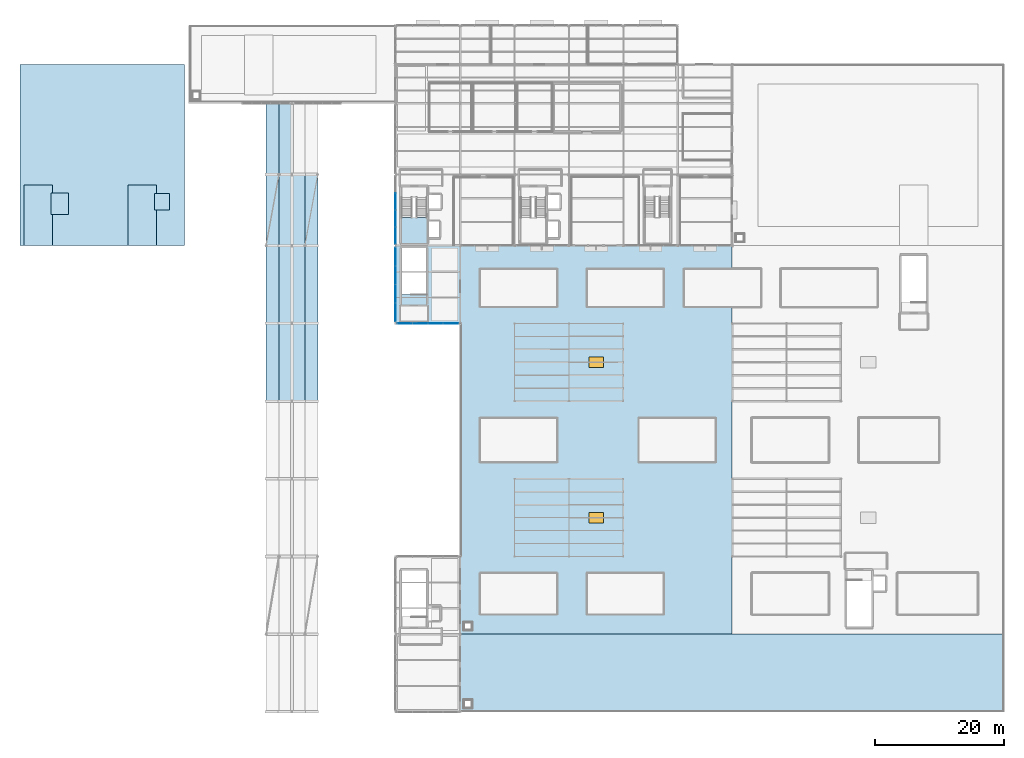
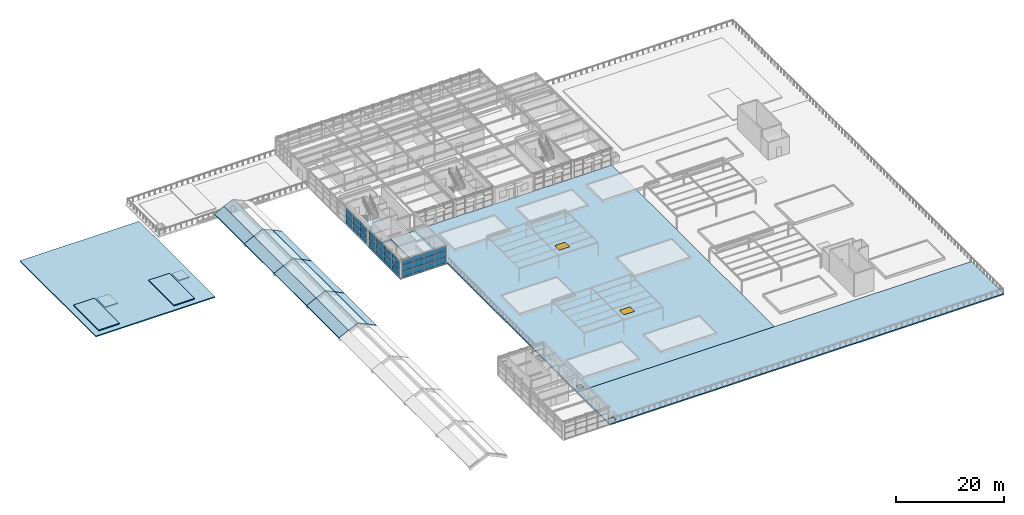
# One storey, part 32 of 49: 33 plates, 23 slabs, 2 windows, 2 openings, 4 elements without a shape of their own.
"""IFC4 building model written with IfcOpenShell, lengths in metres."""

import ifcopenshell
import ifcopenshell.guid

model = None  # the IFC model being written
_history = None  # IfcOwnerHistory: only IFC2X3 demands one
_inside = {}  # id of a spatial element -> (the spatial element, [elements in it])
_under = {}  # id of a project, library or spatial element -> (it, [spatial elements below it])
_declared = {}  # id of a project -> (the project, [libraries it declares])
_typed = {}  # id of a type object -> (the type object, [elements of that type])
_made_of = {}  # id of a material, layer set ... -> (it, [elements and type objects made of it])


def new_model(schema):
    """Start an empty IFC model of exactly this schema.

    Asked for "IFC4X3", IfcOpenShell would pick the latest addendum, in which some entities
    have other attributes; the version numbers below select the first issue.
    IFC2X3 requires an IfcOwnerHistory on every rooted entity: one is made here for all.
    """
    global model, _history
    if schema == "IFC4X3":
        model = ifcopenshell.file(schema_version=(4, 3, 0, 0))
    else:
        model = ifcopenshell.file(schema=schema)
    _inside.clear()
    _under.clear()
    _declared.clear()
    _typed.clear()
    _made_of.clear()
    _history = None
    if model.schema == "IFC2X3":
        org = make("IfcOrganization", Name="unknown")
        user = make(
            "IfcPersonAndOrganization",
            ThePerson=make("IfcPerson", FamilyName="unknown"),
            TheOrganization=org,
        )
        app = make(
            "IfcApplication",
            ApplicationDeveloper=org,
            Version="unknown",
            ApplicationFullName="unknown",
            ApplicationIdentifier="unknown",
        )
        _history = make(
            "IfcOwnerHistory",
            OwningUser=user,
            OwningApplication=app,
            ChangeAction="ADDED",
            CreationDate=0,
        )
    return model


def make(cls, **values):
    """One entity of the class cls with the attributes given. An attribute that is None is left unset."""
    return model.create_entity(
        cls, **{name: value for name, value in values.items() if value is not None}
    )


def rooted(cls, **values):
    """An entity with a GlobalId (a new one), such as an element, a storey or a relation."""
    return make(cls, GlobalId=ifcopenshell.guid.new(), OwnerHistory=_history, **values)


def si_unit(unit_type, name, prefix=None):
    """IfcSIUnit, for example si_unit("LENGTHUNIT", "METRE", prefix="MILLI")."""
    return make("IfcSIUnit", UnitType=unit_type, Prefix=prefix, Name=name)


def assignment(units):
    """IfcUnitAssignment: the units of a project."""
    return None if units is None else make("IfcUnitAssignment", Units=units)


def point(xyz):
    """IfcCartesianPoint."""
    return None if xyz is None else make("IfcCartesianPoint", Coordinates=xyz)


def direction(xyz):
    """IfcDirection."""
    return None if xyz is None else make("IfcDirection", DirectionRatios=xyz)


def frame(location, z_axis=None, x_axis=None):
    """IfcAxis2Placement3D, a coordinate frame: its origin and axes. An axis left out is left unset."""
    return make(
        "IfcAxis2Placement3D",
        Location=point(location),
        Axis=direction(z_axis),
        RefDirection=direction(x_axis),
    )


def frame_2d(location, x_axis=None):
    """IfcAxis2Placement2D, a coordinate frame in the plane: its origin and x axis."""
    return make(
        "IfcAxis2Placement2D", Location=point(location), RefDirection=direction(x_axis)
    )


def origin():
    """The frame at (0, 0, 0) with its axes left unset."""
    return frame((0.0, 0.0, 0.0))


def origin_2d():
    """The frame at (0, 0) in the plane with its x axis left unset."""
    return frame_2d((0.0, 0.0))


def place(relative_to, where):
    """IfcLocalPlacement: puts the frame where relative to a parent placement (None: the world)."""
    return make(
        "IfcLocalPlacement", PlacementRelTo=relative_to, RelativePlacement=where
    )


def context(
    kind, dimensions, precision=None, world=None, true_north=None, identifier=None
):
    """IfcGeometricRepresentationContext, for example the 3D "Model" context."""
    return make(
        "IfcGeometricRepresentationContext",
        ContextIdentifier=identifier,
        ContextType=kind,
        CoordinateSpaceDimension=dimensions,
        Precision=precision,
        WorldCoordinateSystem=world,
        TrueNorth=true_north,
    )


def subcontext(parent, identifier, kind, view, scale=None):
    """IfcGeometricRepresentationSubContext, for example "Body" below "Model"."""
    return make(
        "IfcGeometricRepresentationSubContext",
        ContextIdentifier=identifier,
        ContextType=kind,
        ParentContext=parent,
        TargetScale=scale,
        TargetView=view,
    )


def project(units=None, contexts=None):
    """IfcProject with its units and contexts."""
    return rooted(
        "IfcProject",
        Name="project",
        RepresentationContexts=contexts,
        UnitsInContext=assignment(units),
    )


def spatial(cls, under=None, at=None, **own):
    """A site, building, storey or space (cls), placed at a placement, below another one or the project."""
    s = rooted(cls, ObjectPlacement=at, **own)
    if under is not None:
        _under.setdefault(under.id(), (under, []))[1].append(s)
    return s


def polyline(points):
    """IfcPolyline through the points."""
    return make("IfcPolyline", Points=[point(p) for p in points])


def profile(cls, at=None, kind="AREA", **sizes):
    """A parametric profile (cls). Its sizes go by their IFC names, for example OverallWidth=200.0."""
    return make(cls, ProfileType=kind, Position=at, **sizes)


def rectangle(**sizes):
    """IfcRectangleProfileDef."""
    return profile("IfcRectangleProfileDef", **sizes)


def outline(outer, holes=None, kind="AREA"):
    """IfcArbitraryClosedProfileDef: a profile drawn as a closed curve; with holes, ...WithVoids."""
    if holes is None:
        return make("IfcArbitraryClosedProfileDef", ProfileType=kind, OuterCurve=outer)
    return make(
        "IfcArbitraryProfileDefWithVoids",
        ProfileType=kind,
        OuterCurve=outer,
        InnerCurves=holes,
    )


def extrude(swept, where, along, depth):
    """IfcExtrudedAreaSolid: the profile swept, set in the frame where, extruded along a direction by depth."""
    return make(
        "IfcExtrudedAreaSolid",
        SweptArea=swept,
        Position=where,
        ExtrudedDirection=direction(along),
        Depth=depth,
    )


def shape(context_of_items, identifier, shape_type, items):
    """IfcShapeRepresentation: the items that make up one representation, for example the "Body"."""
    return make(
        "IfcShapeRepresentation",
        ContextOfItems=context_of_items,
        RepresentationIdentifier=identifier,
        RepresentationType=shape_type,
        Items=items,
    )


def material(Name=None, Category=None):
    """IfcMaterial."""
    return make("IfcMaterial", Name=Name, Category=Category)


def layer(
    of_material, thickness, ventilated=None, Name=None, Category=None, Priority=None
):
    """IfcMaterialLayer: one layer of a wall or slab, of a material (None: an air gap)."""
    return make(
        "IfcMaterialLayer",
        Material=of_material,
        LayerThickness=thickness,
        IsVentilated=ventilated,
        Name=Name,
        Category=Category,
        Priority=Priority,
    )


def layer_set(layers, Name=None):
    """IfcMaterialLayerSet."""
    return make("IfcMaterialLayerSet", MaterialLayers=layers, LayerSetName=Name)


def made_of(thing, what):
    """Note that an element or type object is made of a material, layer set ...; save() writes the relation."""
    if what is not None:
        _made_of.setdefault(what.id(), (what, []))[1].append(thing)
    return thing


def type_object(cls, material=None, **own):
    """A type object (cls), such as IfcWallType, which elements share."""
    return made_of(rooted(cls, **own), material)


def element(
    cls,
    number,
    at=None,
    inside=None,
    cuts=None,
    type_object=None,
    material=None,
    context=None,
    identifier="Body",
    shape_type=None,
    held_by="IfcProductDefinitionShape",
    body=None,
    shapes=None,
    **own,
):
    """One element of the class cls, such as IfcWall. Its Tag is "e" and its number.

    at: its placement. inside: the storey or other place that contains it. cuts: it is an
    opening in that element (IfcRelVoidsElement). A single representation is given by context,
    identifier, shape_type and body (its items); several are given by shapes. held_by: the class
    of the entity that holds the representations. save() writes the other relations.
    """
    e = rooted(cls, Tag="e%d" % number, ObjectPlacement=at, **own)
    if body is not None:
        shapes = [shape(context, identifier, shape_type, body)]
    if shapes is not None:
        e.Representation = make(held_by, Representations=shapes)
    if inside is not None:
        _inside.setdefault(inside.id(), (inside, []))[1].append(e)
    if cuts is not None:
        rooted(
            "IfcRelVoidsElement", RelatingBuildingElement=cuts, RelatedOpeningElement=e
        )
    if type_object is not None:
        _typed.setdefault(type_object.id(), (type_object, []))[1].append(e)
    return made_of(e, material)


def fill(opening, filler):
    """IfcRelFillsElement: the door or window that sits in an opening."""
    return rooted(
        "IfcRelFillsElement",
        RelatingOpeningElement=opening,
        RelatedBuildingElement=filler,
    )


def aggregate(whole, parts):
    """IfcRelAggregates: a whole, such as a stair, and the parts it consists of."""
    return rooted("IfcRelAggregates", RelatingObject=whole, RelatedObjects=parts)


def save(model, path):
    """Write the relations noted so far, then the file.

    IfcRelAggregates (storeys below a building ...), IfcRelContainedInSpatialStructure (elements
    in a storey), IfcRelDefinesByType, IfcRelAssociatesMaterial and IfcRelDeclares: one each for
    every whole, place, type object, material and project.
    """
    for whole, parts in _under.values():
        aggregate(whole, parts)
    for where, things in _inside.values():
        rooted(
            "IfcRelContainedInSpatialStructure",
            RelatedElements=things,
            RelatingStructure=where,
        )
    for kind, things in _typed.values():
        rooted("IfcRelDefinesByType", RelatedObjects=things, RelatingType=kind)
    for what, things in _made_of.values():
        rooted("IfcRelAssociatesMaterial", RelatedObjects=things, RelatingMaterial=what)
    for by, libraries in _declared.values():
        rooted("IfcRelDeclares", RelatingContext=by, RelatedDefinitions=libraries)
    model.write(path)


model = new_model("IFC4")

# Units and contexts
model_context = context("Model", 3, precision=1e-05, world=origin(), true_north=direction((0.0, 1.0)))
body_context = subcontext(model_context, "Body", "Model", "MODEL_VIEW")
ifc_project = project(units=[si_unit("LENGTHUNIT", "METRE"), si_unit("AREAUNIT", "SQUARE_METRE"), si_unit("VOLUMEUNIT", "CUBIC_METRE"), si_unit("PLANEANGLEUNIT", "RADIAN"), si_unit("MASSUNIT", "GRAM", prefix="KILO")], contexts=[model_context])

# Site, building, storey
site_placement = place(None, origin())
site = spatial("IfcSite", under=ifc_project, at=site_placement, CompositionType="ELEMENT")
building_placement = place(site_placement, origin())
building = spatial("IfcBuilding", under=site, at=building_placement, Name="Sitalva Quay Ferry Terminal", CompositionType="ELEMENT")
storey_placement = place(building_placement, frame((0.0, 0.0, 10.199951171875)))
storey = spatial("IfcBuildingStorey", under=building, at=storey_placement, Name="L03", CompositionType="ELEMENT", Elevation=10.199951171875)

# Curtain wall, plates
ifc_material_1 = material(Name="Anodised Aluminium & Low-E Glazing", Category="aluminium")
ifc_layer_1 = layer(ifc_material_1, 0.159912109375)
ifc_layer_set_1 = layer_set([ifc_layer_1], Name="Anodised Aluminium & Low-E Glazing")
curtain_wall_type = type_object("IfcCurtainWallType", Name="CW_Office_Unitised", PredefinedType="USERDEFINED", material=ifc_layer_set_1)
curtain_wall_1_placement = place(storey_placement, origin())
curtain_wall_1 = element("IfcCurtainWall", 1, at=curtain_wall_1_placement, inside=storey, type_object=curtain_wall_type, Name="L03 north spine south glazing (CW-L03-090)", ObjectType="CURTAIN_WALL", PredefinedType="USERDEFINED")
ifc_material_2 = material(Name="Solar-Control Low-E Glazing", Category="glass")
ifc_layer_2 = layer(ifc_material_2, 0.031982421875)
ifc_layer_set_2 = layer_set([ifc_layer_2], Name="Solar-Control Low-E Glazing")
plate_type = type_object("IfcPlateType", Name="Panel_Solar_IGU_32", PredefinedType="CURTAIN_PANEL", material=ifc_layer_set_2)
plate_1_placement = place(storey_placement, frame((75.47509765625, 66.0, 0.150146484375), z_axis=(0.0, 0.0, 1.0), x_axis=(1.0, 0.0, 0.0)))
plate_1 = element("IfcPlate", 2, at=plate_1_placement, type_object=plate_type, Name="CW-L03-090-P0-0", PredefinedType="CURTAIN_PANEL", context=body_context, shape_type="SweptSolid", body=[
    extrude(rectangle(XDim=2.27490234375, YDim=0.031982421875, at=origin_2d()), origin(), (0.0, 0.0, 1.0), 1.169921875),
])
plate_2_placement = place(storey_placement, frame((75.47509765625, 66.0, 1.469970703125), z_axis=(0.0, 0.0, 1.0), x_axis=(1.0, 0.0, 0.0)))
plate_2 = element("IfcPlate", 3, at=plate_2_placement, type_object=plate_type, Name="CW-L03-090-P0-1", PredefinedType="CURTAIN_PANEL", context=body_context, shape_type="SweptSolid", body=[
    extrude(rectangle(XDim=2.27490234375, YDim=0.031982421875, at=origin_2d()), origin(), (0.0, 0.0, 1.0), 1.169921875),
])
plate_3_placement = place(storey_placement, frame((75.47509765625, 66.0, 2.7900390625), z_axis=(0.0, 0.0, 1.0), x_axis=(1.0, 0.0, 0.0)))
plate_3 = element("IfcPlate", 4, at=plate_3_placement, type_object=plate_type, Name="CW-L03-090-P0-2", PredefinedType="CURTAIN_PANEL", context=body_context, shape_type="SweptSolid", body=[
    extrude(rectangle(XDim=2.27490234375, YDim=0.031982421875, at=origin_2d()), origin(), (0.0, 0.0, 1.0), 1.02001953125),
])
plate_4_placement = place(storey_placement, frame((77.824951171875, 66.0, 0.150146484375), z_axis=(0.0, 0.0, 1.0), x_axis=(1.0, 0.0, 0.0)))
plate_4 = element("IfcPlate", 5, at=plate_4_placement, type_object=plate_type, Name="CW-L03-090-P1-0", PredefinedType="CURTAIN_PANEL", context=body_context, shape_type="SweptSolid", body=[
    extrude(rectangle(XDim=2.27490234375, YDim=0.031982421875, at=origin_2d()), origin(), (0.0, 0.0, 1.0), 1.169921875),
])
plate_5_placement = place(storey_placement, frame((77.824951171875, 66.0, 1.469970703125), z_axis=(0.0, 0.0, 1.0), x_axis=(1.0, 0.0, 0.0)))
plate_5 = element("IfcPlate", 6, at=plate_5_placement, type_object=plate_type, Name="CW-L03-090-P1-1", PredefinedType="CURTAIN_PANEL", context=body_context, shape_type="SweptSolid", body=[
    extrude(rectangle(XDim=2.27490234375, YDim=0.031982421875, at=origin_2d()), origin(), (0.0, 0.0, 1.0), 1.169921875),
])
plate_6_placement = place(storey_placement, frame((77.824951171875, 66.0, 2.7900390625), z_axis=(0.0, 0.0, 1.0), x_axis=(1.0, 0.0, 0.0)))
plate_6 = element("IfcPlate", 7, at=plate_6_placement, type_object=plate_type, Name="CW-L03-090-P1-2", PredefinedType="CURTAIN_PANEL", context=body_context, shape_type="SweptSolid", body=[
    extrude(rectangle(XDim=2.27490234375, YDim=0.031982421875, at=origin_2d()), origin(), (0.0, 0.0, 1.0), 1.02001953125),
])
plate_7_placement = place(storey_placement, frame((80.175048828125, 66.0, 0.150146484375), z_axis=(0.0, 0.0, 1.0), x_axis=(1.0, 0.0, 0.0)))
plate_7 = element("IfcPlate", 8, at=plate_7_placement, type_object=plate_type, Name="CW-L03-090-P2-0", PredefinedType="CURTAIN_PANEL", context=body_context, shape_type="SweptSolid", body=[
    extrude(rectangle(XDim=2.27490234375, YDim=0.031982421875, at=origin_2d()), origin(), (0.0, 0.0, 1.0), 1.169921875),
])
plate_8_placement = place(storey_placement, frame((80.175048828125, 66.0, 1.469970703125), z_axis=(0.0, 0.0, 1.0), x_axis=(1.0, 0.0, 0.0)))
plate_8 = element("IfcPlate", 9, at=plate_8_placement, type_object=plate_type, Name="CW-L03-090-P2-1", PredefinedType="CURTAIN_PANEL", context=body_context, shape_type="SweptSolid", body=[
    extrude(rectangle(XDim=2.27490234375, YDim=0.031982421875, at=origin_2d()), origin(), (0.0, 0.0, 1.0), 1.169921875),
])
plate_9_placement = place(storey_placement, frame((80.175048828125, 66.0, 2.7900390625), z_axis=(0.0, 0.0, 1.0), x_axis=(1.0, 0.0, 0.0)))
plate_9 = element("IfcPlate", 10, at=plate_9_placement, type_object=plate_type, Name="CW-L03-090-P2-2", PredefinedType="CURTAIN_PANEL", context=body_context, shape_type="SweptSolid", body=[
    extrude(rectangle(XDim=2.27490234375, YDim=0.031982421875, at=origin_2d()), origin(), (0.0, 0.0, 1.0), 1.02001953125),
])
plate_10_placement = place(storey_placement, frame((82.52490234375, 66.0, 0.150146484375), z_axis=(0.0, 0.0, 1.0), x_axis=(1.0, 0.0, 0.0)))
plate_10 = element("IfcPlate", 11, at=plate_10_placement, type_object=plate_type, Name="CW-L03-090-P3-0", PredefinedType="CURTAIN_PANEL", context=body_context, shape_type="SweptSolid", body=[
    extrude(rectangle(XDim=2.27490234375, YDim=0.031982421875, at=origin_2d()), origin(), (0.0, 0.0, 1.0), 1.169921875),
])
plate_11_placement = place(storey_placement, frame((82.52490234375, 66.0, 1.469970703125), z_axis=(0.0, 0.0, 1.0), x_axis=(1.0, 0.0, 0.0)))
plate_11 = element("IfcPlate", 12, at=plate_11_placement, type_object=plate_type, Name="CW-L03-090-P3-1", PredefinedType="CURTAIN_PANEL", context=body_context, shape_type="SweptSolid", body=[
    extrude(rectangle(XDim=2.27490234375, YDim=0.031982421875, at=origin_2d()), origin(), (0.0, 0.0, 1.0), 1.169921875),
])
plate_12_placement = place(storey_placement, frame((82.52490234375, 66.0, 2.7900390625), z_axis=(0.0, 0.0, 1.0), x_axis=(1.0, 0.0, 0.0)))
plate_12 = element("IfcPlate", 13, at=plate_12_placement, type_object=plate_type, Name="CW-L03-090-P3-2", PredefinedType="CURTAIN_PANEL", context=body_context, shape_type="SweptSolid", body=[
    extrude(rectangle(XDim=2.27490234375, YDim=0.031982421875, at=origin_2d()), origin(), (0.0, 0.0, 1.0), 1.02001953125),
])
aggregate(curtain_wall_1, [plate_1, plate_2, plate_3, plate_4, plate_5, plate_6, plate_7, plate_8, plate_9, plate_10, plate_11, plate_12])

curtain_wall_2_placement = place(storey_placement, origin())
curtain_wall_2 = element("IfcCurtainWall", 14, at=curtain_wall_2_placement, inside=storey, type_object=curtain_wall_type, Name="L03 north spine west glazing (CW-L03-091)", ObjectType="CURTAIN_WALL", PredefinedType="USERDEFINED")
plate_13_placement = place(storey_placement, frame((74.0, 67.72509765625, 0.150146484375), z_axis=(0.0, 0.0, 1.0), x_axis=(0.0, 1.0, 0.0)))
plate_13 = element("IfcPlate", 15, at=plate_13_placement, type_object=plate_type, Name="CW-L03-091-P0-0", PredefinedType="CURTAIN_PANEL", context=body_context, shape_type="SweptSolid", body=[
    extrude(rectangle(XDim=2.77490234375, YDim=0.031982421875, at=origin_2d()), origin(), (0.0, 0.0, 1.0), 1.169921875),
])
plate_14_placement = place(storey_placement, frame((74.0, 67.72509765625, 1.469970703125), z_axis=(0.0, 0.0, 1.0), x_axis=(0.0, 1.0, 0.0)))
plate_14 = element("IfcPlate", 16, at=plate_14_placement, type_object=plate_type, Name="CW-L03-091-P0-1", PredefinedType="CURTAIN_PANEL", context=body_context, shape_type="SweptSolid", body=[
    extrude(rectangle(XDim=2.77490234375, YDim=0.031982421875, at=origin_2d()), origin(), (0.0, 0.0, 1.0), 1.169921875),
])
plate_15_placement = place(storey_placement, frame((74.0, 67.72509765625, 2.7900390625), z_axis=(0.0, 0.0, 1.0), x_axis=(0.0, 1.0, 0.0)))
plate_15 = element("IfcPlate", 17, at=plate_15_placement, type_object=plate_type, Name="CW-L03-091-P0-2", PredefinedType="CURTAIN_PANEL", context=body_context, shape_type="SweptSolid", body=[
    extrude(rectangle(XDim=2.77490234375, YDim=0.031982421875, at=origin_2d()), origin(), (0.0, 0.0, 1.0), 1.02001953125),
])
plate_16_placement = place(storey_placement, frame((74.0, 70.574951171875, 0.150146484375), z_axis=(0.0, 0.0, 1.0), x_axis=(0.0, 1.0, 0.0)))
plate_16 = element("IfcPlate", 18, at=plate_16_placement, type_object=plate_type, Name="CW-L03-091-P1-0", PredefinedType="CURTAIN_PANEL", context=body_context, shape_type="SweptSolid", body=[
    extrude(rectangle(XDim=2.77490234375, YDim=0.031982421875, at=origin_2d()), origin(), (0.0, 0.0, 1.0), 1.169921875),
])
plate_17_placement = place(storey_placement, frame((74.0, 70.574951171875, 1.469970703125), z_axis=(0.0, 0.0, 1.0), x_axis=(0.0, 1.0, 0.0)))
plate_17 = element("IfcPlate", 19, at=plate_17_placement, type_object=plate_type, Name="CW-L03-091-P1-1", PredefinedType="CURTAIN_PANEL", context=body_context, shape_type="SweptSolid", body=[
    extrude(rectangle(XDim=2.77490234375, YDim=0.031982421875, at=origin_2d()), origin(), (0.0, 0.0, 1.0), 1.169921875),
])
plate_18_placement = place(storey_placement, frame((74.0, 70.574951171875, 2.7900390625), z_axis=(0.0, 0.0, 1.0), x_axis=(0.0, 1.0, 0.0)))
plate_18 = element("IfcPlate", 20, at=plate_18_placement, type_object=plate_type, Name="CW-L03-091-P1-2", PredefinedType="CURTAIN_PANEL", context=body_context, shape_type="SweptSolid", body=[
    extrude(rectangle(XDim=2.77490234375, YDim=0.031982421875, at=origin_2d()), origin(), (0.0, 0.0, 1.0), 1.02001953125),
])
plate_19_placement = place(storey_placement, frame((74.0, 73.425048828125, 0.150146484375), z_axis=(0.0, 0.0, 1.0), x_axis=(0.0, 1.0, 0.0)))
plate_19 = element("IfcPlate", 21, at=plate_19_placement, type_object=plate_type, Name="CW-L03-091-P2-0", PredefinedType="CURTAIN_PANEL", context=body_context, shape_type="SweptSolid", body=[
    extrude(rectangle(XDim=2.77490234375, YDim=0.031982421875, at=origin_2d()), origin(), (0.0, 0.0, 1.0), 1.169921875),
])
plate_20_placement = place(storey_placement, frame((74.0, 73.425048828125, 1.469970703125), z_axis=(0.0, 0.0, 1.0), x_axis=(0.0, 1.0, 0.0)))
plate_20 = element("IfcPlate", 22, at=plate_20_placement, type_object=plate_type, Name="CW-L03-091-P2-1", PredefinedType="CURTAIN_PANEL", context=body_context, shape_type="SweptSolid", body=[
    extrude(rectangle(XDim=2.77490234375, YDim=0.031982421875, at=origin_2d()), origin(), (0.0, 0.0, 1.0), 1.169921875),
])
plate_21_placement = place(storey_placement, frame((74.0, 73.425048828125, 2.7900390625), z_axis=(0.0, 0.0, 1.0), x_axis=(0.0, 1.0, 0.0)))
plate_21 = element("IfcPlate", 23, at=plate_21_placement, type_object=plate_type, Name="CW-L03-091-P2-2", PredefinedType="CURTAIN_PANEL", context=body_context, shape_type="SweptSolid", body=[
    extrude(rectangle(XDim=2.77490234375, YDim=0.031982421875, at=origin_2d()), origin(), (0.0, 0.0, 1.0), 1.02001953125),
])
plate_22_placement = place(storey_placement, frame((74.0, 76.27490234375, 0.150146484375), z_axis=(0.0, 0.0, 1.0), x_axis=(0.0, 1.0, 0.0)))
plate_22 = element("IfcPlate", 24, at=plate_22_placement, type_object=plate_type, Name="CW-L03-091-P3-0", PredefinedType="CURTAIN_PANEL", context=body_context, shape_type="SweptSolid", body=[
    extrude(rectangle(XDim=2.77490234375, YDim=0.031982421875, at=origin_2d()), origin(), (0.0, 0.0, 1.0), 1.169921875),
])
plate_23_placement = place(storey_placement, frame((74.0, 76.27490234375, 1.469970703125), z_axis=(0.0, 0.0, 1.0), x_axis=(0.0, 1.0, 0.0)))
plate_23 = element("IfcPlate", 25, at=plate_23_placement, type_object=plate_type, Name="CW-L03-091-P3-1", PredefinedType="CURTAIN_PANEL", context=body_context, shape_type="SweptSolid", body=[
    extrude(rectangle(XDim=2.77490234375, YDim=0.031982421875, at=origin_2d()), origin(), (0.0, 0.0, 1.0), 1.169921875),
])
plate_24_placement = place(storey_placement, frame((74.0, 76.27490234375, 2.7900390625), z_axis=(0.0, 0.0, 1.0), x_axis=(0.0, 1.0, 0.0)))
plate_24 = element("IfcPlate", 26, at=plate_24_placement, type_object=plate_type, Name="CW-L03-091-P3-2", PredefinedType="CURTAIN_PANEL", context=body_context, shape_type="SweptSolid", body=[
    extrude(rectangle(XDim=2.77490234375, YDim=0.031982421875, at=origin_2d()), origin(), (0.0, 0.0, 1.0), 1.02001953125),
])
aggregate(curtain_wall_2, [plate_13, plate_14, plate_15, plate_16, plate_17, plate_18, plate_19, plate_20, plate_21, plate_22, plate_23, plate_24])

curtain_wall_3_placement = place(storey_placement, origin())
curtain_wall_3 = element("IfcCurtainWall", 27, at=curtain_wall_3_placement, inside=storey, type_object=curtain_wall_type, Name="L03 maritime bridge west glazing (CW-L03-124)", ObjectType="CURTAIN_WALL", PredefinedType="USERDEFINED")
plate_25_placement = place(storey_placement, frame((74.0, 79.570068359375, 0.14990234375), z_axis=(0.0, 0.0, 1.0), x_axis=(0.0, 1.0, 0.0)))
plate_25 = element("IfcPlate", 28, at=plate_25_placement, type_object=plate_type, Name="CW-L03-124-P0-0", PredefinedType="CURTAIN_PANEL", context=body_context, shape_type="SweptSolid", body=[
    extrude(rectangle(XDim=2.544921875, YDim=0.031982421875, at=origin_2d()), origin(), (0.0, 0.0, 1.0), 1.15673828125),
])
plate_26_placement = place(storey_placement, frame((74.0, 79.570068359375, 1.456787109375), z_axis=(0.0, 0.0, 1.0), x_axis=(0.0, 1.0, 0.0)))
plate_26 = element("IfcPlate", 29, at=plate_26_placement, type_object=plate_type, Name="CW-L03-124-P0-1", PredefinedType="CURTAIN_PANEL", context=body_context, shape_type="SweptSolid", body=[
    extrude(rectangle(XDim=2.544921875, YDim=0.031982421875, at=origin_2d()), origin(), (0.0, 0.0, 1.0), 1.15673828125),
])
plate_27_placement = place(storey_placement, frame((74.0, 79.570068359375, 2.76318359375), z_axis=(0.0, 0.0, 1.0), x_axis=(0.0, 1.0, 0.0)))
plate_27 = element("IfcPlate", 30, at=plate_27_placement, type_object=plate_type, Name="CW-L03-124-P0-2", PredefinedType="CURTAIN_PANEL", context=body_context, shape_type="SweptSolid", body=[
    extrude(rectangle(XDim=2.544921875, YDim=0.031982421875, at=origin_2d()), origin(), (0.0, 0.0, 1.0), 1.006591796875),
])
plate_28_placement = place(storey_placement, frame((74.0, 82.18994140625, 0.14990234375), z_axis=(0.0, 0.0, 1.0), x_axis=(0.0, 1.0, 0.0)))
plate_28 = element("IfcPlate", 31, at=plate_28_placement, type_object=plate_type, Name="CW-L03-124-P1-0", PredefinedType="CURTAIN_PANEL", context=body_context, shape_type="SweptSolid", body=[
    extrude(rectangle(XDim=2.544921875, YDim=0.031982421875, at=origin_2d()), origin(), (0.0, 0.0, 1.0), 1.15673828125),
])
plate_29_placement = place(storey_placement, frame((74.0, 82.18994140625, 1.456787109375), z_axis=(0.0, 0.0, 1.0), x_axis=(0.0, 1.0, 0.0)))
plate_29 = element("IfcPlate", 32, at=plate_29_placement, type_object=plate_type, Name="CW-L03-124-P1-1", PredefinedType="CURTAIN_PANEL", context=body_context, shape_type="SweptSolid", body=[
    extrude(rectangle(XDim=2.544921875, YDim=0.031982421875, at=origin_2d()), origin(), (0.0, 0.0, 1.0), 1.15673828125),
])
plate_30_placement = place(storey_placement, frame((74.0, 82.18994140625, 2.76318359375), z_axis=(0.0, 0.0, 1.0), x_axis=(0.0, 1.0, 0.0)))
plate_30 = element("IfcPlate", 33, at=plate_30_placement, type_object=plate_type, Name="CW-L03-124-P1-2", PredefinedType="CURTAIN_PANEL", context=body_context, shape_type="SweptSolid", body=[
    extrude(rectangle(XDim=2.544921875, YDim=0.031982421875, at=origin_2d()), origin(), (0.0, 0.0, 1.0), 1.006591796875),
])
plate_31_placement = place(storey_placement, frame((74.0, 84.81005859375, 0.14990234375), z_axis=(0.0, 0.0, 1.0), x_axis=(0.0, 1.0, 0.0)))
plate_31 = element("IfcPlate", 34, at=plate_31_placement, type_object=plate_type, Name="CW-L03-124-P2-0", PredefinedType="CURTAIN_PANEL", context=body_context, shape_type="SweptSolid", body=[
    extrude(rectangle(XDim=2.544921875, YDim=0.031982421875, at=origin_2d()), origin(), (0.0, 0.0, 1.0), 1.15673828125),
])
plate_32_placement = place(storey_placement, frame((74.0, 84.81005859375, 1.456787109375), z_axis=(0.0, 0.0, 1.0), x_axis=(0.0, 1.0, 0.0)))
plate_32 = element("IfcPlate", 35, at=plate_32_placement, type_object=plate_type, Name="CW-L03-124-P2-1", PredefinedType="CURTAIN_PANEL", context=body_context, shape_type="SweptSolid", body=[
    extrude(rectangle(XDim=2.544921875, YDim=0.031982421875, at=origin_2d()), origin(), (0.0, 0.0, 1.0), 1.15673828125),
])
plate_33_placement = place(storey_placement, frame((74.0, 84.81005859375, 2.76318359375), z_axis=(0.0, 0.0, 1.0), x_axis=(0.0, 1.0, 0.0)))
plate_33 = element("IfcPlate", 36, at=plate_33_placement, type_object=plate_type, Name="CW-L03-124-P2-2", PredefinedType="CURTAIN_PANEL", context=body_context, shape_type="SweptSolid", body=[
    extrude(rectangle(XDim=2.544921875, YDim=0.031982421875, at=origin_2d()), origin(), (0.0, 0.0, 1.0), 1.006591796875),
])
aggregate(curtain_wall_3, [plate_25, plate_26, plate_27, plate_28, plate_29, plate_30, plate_31, plate_32, plate_33])

# Slabs
ifc_material_3 = material(Name="Concrete C35/45", Category="concrete")
ifc_layer_3 = layer(ifc_material_3, 0.239990234375)
ifc_layer_set_3 = layer_set([ifc_layer_3], Name="Concrete C35/45")
slab_type_1 = type_object("IfcSlabType", Name="Slab_FlatRoof_240", PredefinedType="ROOF", material=ifc_layer_set_3)
slab_1_placement = place(storey_placement, frame((0.0, 0.0, -0.239990234375)))
element("IfcSlab", 37, at=slab_1_placement, inside=storey, type_object=slab_type_1, Name="L03 West wing L03 low roof 055", PredefinedType="ROOF", context=body_context, shape_type="SweptSolid", body=[
    extrude(outline(polyline([(16.0, 78.0), (41.39990234375, 78.0), (41.39990234375, 106.0), (16.0, 106.0), (16.0, 78.0)])), origin(), (0.0, 0.0, 1.0), 0.239990234375),
])
ifc_material_4 = material(Name="Concrete C35/45", Category="concrete")
ifc_layer_4 = layer(ifc_material_4, 0.2099609375)
ifc_layer_set_4 = layer_set([ifc_layer_4], Name="Concrete C35/45")
slab_type_2 = type_object("IfcSlabType", Name="Slab_HeadhouseRoof_210", PredefinedType="ROOF", material=ifc_layer_set_4)
slab_2_placement = place(storey_placement, frame((0.0, 0.0, 0.900146484375)))
element("IfcSlab", 38, at=slab_2_placement, inside=storey, type_object=slab_type_2, Name="Core C3 stair headhouse roof slab", PredefinedType="ROOF", context=body_context, shape_type="SweptSolid", body=[
    extrude(outline(polyline([(16.64990234375, 78.050048828125), (21.050048828125, 78.050048828125), (21.050048828125, 87.35009765625), (16.64990234375, 87.35009765625), (16.64990234375, 78.050048828125)])), origin(), (0.0, 0.0, 1.0), 0.2099609375),
])
slab_3_placement = place(storey_placement, frame((0.0, 0.0, 0.900146484375)))
element("IfcSlab", 39, at=slab_3_placement, inside=storey, type_object=slab_type_2, Name="Core C5 stair headhouse roof slab", PredefinedType="ROOF", context=body_context, shape_type="SweptSolid", body=[
    extrude(outline(polyline([(32.64990234375, 78.050048828125), (37.050048828125, 78.050048828125), (37.050048828125, 87.35009765625), (32.64990234375, 87.35009765625), (32.64990234375, 78.050048828125)])), origin(), (0.0, 0.0, 1.0), 0.2099609375),
])
ifc_material_5 = material(Name="Concrete C35/45", Category="concrete")
ifc_layer_5 = layer(ifc_material_5, 0.195068359375)
ifc_layer_set_5 = layer_set([ifc_layer_5], Name="Concrete C35/45")
slab_type_3 = type_object("IfcSlabType", Name="Slab_OverrunRoof_195", PredefinedType="ROOF", material=ifc_layer_set_5)
slab_4_placement = place(storey_placement, frame((0.0, 0.0, 1.679931640625)))
element("IfcSlab", 40, at=slab_4_placement, inside=storey, type_object=slab_type_3, Name="Lift LF-08 overrun roof cap", PredefinedType="ROOF", context=body_context, shape_type="SweptSolid", body=[
    extrude(outline(polyline([(20.800048828125, 82.85009765625), (23.5, 82.85009765625), (23.5, 86.14990234375), (20.800048828125, 86.14990234375), (20.800048828125, 82.85009765625)])), origin(), (0.0, 0.0, 1.0), 0.240234375),
])
slab_5_placement = place(storey_placement, frame((0.0, 0.0, 1.679931640625)))
element("IfcSlab", 41, at=slab_5_placement, inside=storey, type_object=slab_type_3, Name="Lift LF-05 overrun roof cap", PredefinedType="ROOF", context=body_context, shape_type="SweptSolid", body=[
    extrude(outline(polyline([(36.800048828125, 83.5), (39.10009765625, 83.5), (39.10009765625, 86.10009765625), (36.800048828125, 86.10009765625), (36.800048828125, 83.5)])), origin(), (0.0, 0.0, 1.0), 0.240234375),
])
ifc_material_6 = material(Name="Concrete C40/50", Category="concrete")
ifc_layer_6 = layer(ifc_material_6, 0.159912109375)
ifc_layer_set_6 = layer_set([ifc_layer_6], Name="Concrete C40/50")
slab_type_4 = type_object("IfcSlabType", Name="Slab_PointedVaultShell_160", PredefinedType="ROOF", material=ifc_layer_set_6)
slab_6_placement = place(storey_placement, frame((54.0, 54.0, 0.85009765625), z_axis=(-0.457173834752, 0.0, 0.889377357941), x_axis=(0.889377357941, 0.0, 0.457173834752)))
element("IfcSlab", 42, at=slab_6_placement, inside=storey, type_object=slab_type_4, Name="Vault V1 pointed shell facet B5-F7", PredefinedType="ROOF", context=body_context, shape_type="SweptSolid", body=[
    extrude(outline(polyline([(0.0, 0.0), (2.248764241795292, 0.0), (2.248764241795292, 12.0), (0.0, 12.0), (0.0, 0.0)])), origin(), (-0.457173834752, 0.0, -0.889377357941), 0.179931640625),
])
slab_7_placement = place(storey_placement, frame((56.0, 54.0, 1.878173828125), z_axis=(-0.418608195746, 0.0, 0.908166933143), x_axis=(0.908166933143, 0.0, 0.418608195746)))
element("IfcSlab", 43, at=slab_7_placement, inside=storey, type_object=slab_type_4, Name="Vault V1 pointed shell facet B5-F8", PredefinedType="ROOF", context=body_context, shape_type="SweptSolid", body=[
    extrude(outline(polyline([(0.0, 0.0), (2.2022382967392518, 0.0), (2.2022382967392518, 12.0), (0.0, 12.0), (0.0, 0.0)])), origin(), (-0.418608195746, 0.0, -0.908166933143), 0.17626953125),
])
slab_8_placement = place(storey_placement, frame((58.0, 54.0, 2.800048828125), z_axis=(0.418608195746, 0.0, 0.908166933143), x_axis=(0.908166933143, 0.0, -0.418608195746)))
element("IfcSlab", 44, at=slab_8_placement, inside=storey, type_object=slab_type_4, Name="Vault V1 pointed shell facet B5-F9", PredefinedType="ROOF", context=body_context, shape_type="SweptSolid", body=[
    extrude(outline(polyline([(0.0, 0.0), (2.2022382967392518, 0.0), (2.2022382967392518, 12.0), (0.0, 12.0), (0.0, 0.0)])), origin(), (0.418608195746, 0.0, -0.908166933143), 0.17626953125),
])
slab_9_placement = place(storey_placement, frame((60.0, 54.0, 1.878173828125), z_axis=(0.457173834752, 0.0, 0.889377357941), x_axis=(0.889377357941, 0.0, -0.457173834752)))
element("IfcSlab", 45, at=slab_9_placement, inside=storey, type_object=slab_type_4, Name="Vault V1 pointed shell facet B5-F10", PredefinedType="ROOF", context=body_context, shape_type="SweptSolid", body=[
    extrude(outline(polyline([(0.0, 0.0), (2.248764241795292, 0.0), (2.248764241795292, 12.0), (0.0, 12.0), (0.0, 0.0)])), origin(), (0.457173834752, 0.0, -0.889377357941), 0.179931640625),
])
slab_10_placement = place(storey_placement, frame((54.0, 66.0, 0.85009765625), z_axis=(-0.457173834752, 0.0, 0.889377357941), x_axis=(0.889377357941, 0.0, 0.457173834752)))
element("IfcSlab", 46, at=slab_10_placement, inside=storey, type_object=slab_type_4, Name="Vault V1 pointed shell facet B6-F7", PredefinedType="ROOF", context=body_context, shape_type="SweptSolid", body=[
    extrude(outline(polyline([(0.0, 0.0), (2.248764241795292, 0.0), (2.248764241795292, 12.0), (0.0, 12.0), (0.0, 0.0)])), origin(), (-0.457173834752, 0.0, -0.889377357941), 0.179931640625),
])
slab_11_placement = place(storey_placement, frame((56.0, 66.0, 1.878173828125), z_axis=(-0.418608195746, 0.0, 0.908166933143), x_axis=(0.908166933143, 0.0, 0.418608195746)))
element("IfcSlab", 47, at=slab_11_placement, inside=storey, type_object=slab_type_4, Name="Vault V1 pointed shell facet B6-F8", PredefinedType="ROOF", context=body_context, shape_type="SweptSolid", body=[
    extrude(outline(polyline([(0.0, 0.0), (2.2022382967392518, 0.0), (2.2022382967392518, 12.0), (0.0, 12.0), (0.0, 0.0)])), origin(), (-0.418608195746, 0.0, -0.908166933143), 0.17626953125),
])
slab_12_placement = place(storey_placement, frame((58.0, 66.0, 2.800048828125), z_axis=(0.418608195746, 0.0, 0.908166933143), x_axis=(0.908166933143, 0.0, -0.418608195746)))
element("IfcSlab", 48, at=slab_12_placement, inside=storey, type_object=slab_type_4, Name="Vault V1 pointed shell facet B6-F9", PredefinedType="ROOF", context=body_context, shape_type="SweptSolid", body=[
    extrude(outline(polyline([(0.0, 0.0), (2.2022382967392518, 0.0), (2.2022382967392518, 12.0), (0.0, 12.0), (0.0, 0.0)])), origin(), (0.418608195746, 0.0, -0.908166933143), 0.17626953125),
])
slab_13_placement = place(storey_placement, frame((60.0, 66.0, 1.878173828125), z_axis=(0.457173834752, 0.0, 0.889377357941), x_axis=(0.889377357941, 0.0, -0.457173834752)))
element("IfcSlab", 49, at=slab_13_placement, inside=storey, type_object=slab_type_4, Name="Vault V1 pointed shell facet B6-F10", PredefinedType="ROOF", context=body_context, shape_type="SweptSolid", body=[
    extrude(outline(polyline([(0.0, 0.0), (2.248764241795292, 0.0), (2.248764241795292, 12.0), (0.0, 12.0), (0.0, 0.0)])), origin(), (0.457173834752, 0.0, -0.889377357941), 0.179931640625),
])
slab_14_placement = place(storey_placement, frame((54.0, 78.0, 0.85009765625), z_axis=(-0.457173834752, 0.0, 0.889377357941), x_axis=(0.889377357941, 0.0, 0.457173834752)))
element("IfcSlab", 50, at=slab_14_placement, inside=storey, type_object=slab_type_4, Name="Vault V1 pointed shell facet B7-F7", PredefinedType="ROOF", context=body_context, shape_type="SweptSolid", body=[
    extrude(outline(polyline([(0.0, 0.0), (2.248764241795292, 0.0), (2.248764241795292, 11.0), (0.0, 11.0), (0.0, 0.0)])), origin(), (-0.457173834752, 0.0, -0.889377357941), 0.179931640625),
])
slab_15_placement = place(storey_placement, frame((56.0, 78.0, 1.878173828125), z_axis=(-0.418608195746, 0.0, 0.908166933143), x_axis=(0.908166933143, 0.0, 0.418608195746)))
element("IfcSlab", 51, at=slab_15_placement, inside=storey, type_object=slab_type_4, Name="Vault V1 pointed shell facet B7-F8", PredefinedType="ROOF", context=body_context, shape_type="SweptSolid", body=[
    extrude(outline(polyline([(0.0, 0.0), (2.2022382967392518, 0.0), (2.2022382967392518, 11.0), (0.0, 11.0), (0.0, 0.0)])), origin(), (-0.418608195746, 0.0, -0.908166933143), 0.17626953125),
])
slab_16_placement = place(storey_placement, frame((58.0, 78.0, 2.800048828125), z_axis=(0.418608195746, 0.0, 0.908166933143), x_axis=(0.908166933143, 0.0, -0.418608195746)))
element("IfcSlab", 52, at=slab_16_placement, inside=storey, type_object=slab_type_4, Name="Vault V1 pointed shell facet B7-F9", PredefinedType="ROOF", context=body_context, shape_type="SweptSolid", body=[
    extrude(outline(polyline([(0.0, 0.0), (2.2022382967392518, 0.0), (2.2022382967392518, 11.0), (0.0, 11.0), (0.0, 0.0)])), origin(), (0.418608195746, 0.0, -0.908166933143), 0.17626953125),
])
slab_17_placement = place(storey_placement, frame((60.0, 78.0, 1.878173828125), z_axis=(0.457173834752, 0.0, 0.889377357941), x_axis=(0.889377357941, 0.0, -0.457173834752)))
element("IfcSlab", 53, at=slab_17_placement, inside=storey, type_object=slab_type_4, Name="Vault V1 pointed shell facet B7-F10", PredefinedType="ROOF", context=body_context, shape_type="SweptSolid", body=[
    extrude(outline(polyline([(0.0, 0.0), (2.248764241795292, 0.0), (2.248764241795292, 11.0), (0.0, 11.0), (0.0, 0.0)])), origin(), (0.457173834752, 0.0, -0.889377357941), 0.179931640625),
])
slab_18_placement = place(storey_placement, frame((54.0, 89.0, 0.85009765625), z_axis=(-0.457173834752, 0.0, 0.889377357941), x_axis=(0.889377357941, 0.0, 0.457173834752)))
element("IfcSlab", 54, at=slab_18_placement, inside=storey, type_object=slab_type_4, Name="Vault V1 pointed shell facet B8-F7", PredefinedType="ROOF", context=body_context, shape_type="SweptSolid", body=[
    extrude(outline(polyline([(0.0, 0.0), (2.248764241795292, 0.0), (2.248764241795292, 11.0), (0.0, 11.0), (0.0, 0.0)])), origin(), (-0.457173834752, 0.0, -0.889377357941), 0.179931640625),
])
slab_19_placement = place(storey_placement, frame((56.0, 89.0, 1.878173828125), z_axis=(-0.418608195746, 0.0, 0.908166933143), x_axis=(0.908166933143, 0.0, 0.418608195746)))
element("IfcSlab", 55, at=slab_19_placement, inside=storey, type_object=slab_type_4, Name="Vault V1 pointed shell facet B8-F8", PredefinedType="ROOF", context=body_context, shape_type="SweptSolid", body=[
    extrude(outline(polyline([(0.0, 0.0), (2.2022382967392518, 0.0), (2.2022382967392518, 11.0), (0.0, 11.0), (0.0, 0.0)])), origin(), (-0.418608195746, 0.0, -0.908166933143), 0.17626953125),
])
ifc_material_7 = material(Name="Concrete C35/45", Category="concrete")
ifc_layer_7 = layer(ifc_material_7, 0.260009765625)
ifc_layer_set_7 = layer_set([ifc_layer_7], Name="Concrete C35/45")
slab_type_5 = type_object("IfcSlabType", Name="Slab_Promenade_260", PredefinedType="FLOOR", material=ifc_layer_set_7)
slab_20_placement = place(storey_placement, frame((0.0, 0.0, -0.260009765625)))
element("IfcSlab", 56, at=slab_20_placement, inside=storey, type_object=slab_type_5, Name="L03 Public waterfront promenade 051", PredefinedType="FLOOR", context=body_context, shape_type="SweptSolid", body=[
    extrude(outline(polyline([(84.0, 6.0), (168.0, 6.0), (168.0, 18.0), (84.0, 18.0), (84.0, 6.0)]), holes=[polyline([(84.64990234375, 6.64990234375), (84.64990234375, 7.800048828125), (85.800048828125, 7.800048828125), (85.800048828125, 6.64990234375), (84.64990234375, 6.64990234375)])]), origin(), (0.0, 0.0, 1.0), 0.260009765625),
])

# Slab, openings, windows
ifc_material_8 = material(Name="Concrete C35/45", Category="concrete")
ifc_layer_8 = layer(ifc_material_8, 0.35009765625)
ifc_layer_set_8 = layer_set([ifc_layer_8], Name="Concrete C35/45")
slab_type_6 = type_object("IfcSlabType", Name="Slab_RoofGarden_350", PredefinedType="ROOF", material=ifc_layer_set_8)
slab_21_placement = place(storey_placement, frame((0.0, 0.0, -0.349853515625)))
slab_21 = element("IfcSlab", 57, at=slab_21_placement, inside=storey, type_object=slab_type_6, Name="L03 East pier roof garden west 053", PredefinedType="ROOF", context=body_context, shape_type="SweptSolid", body=[
    extrude(outline(polyline([(84.0, 18.0), (126.0, 18.0), (126.0, 78.0), (84.0, 78.0), (84.0, 18.0)]), holes=[polyline([(84.64990234375, 18.64990234375), (84.64990234375, 19.800048828125), (85.800048828125, 19.800048828125), (85.800048828125, 18.64990234375), (84.64990234375, 18.64990234375)])]), origin(), (0.0, 0.0, 1.0), 0.349853515625),
])
opening_1_placement = place(slab_21_placement, frame((105.0, 36.0, 0.0)))
opening_1 = element("IfcOpeningElement", 58, at=opening_1_placement, cuts=slab_21, Name="Opening SK-09", PredefinedType="OPENING", context=body_context, shape_type="SweptSolid", body=[
    extrude(rectangle(XDim=2.199951171875, YDim=1.64990234375, at=origin_2d()), frame((0.0, 0.0, -0.010009765625)), (0.0, 0.0, 1.0), 0.369873046875),
])
opening_2_placement = place(slab_21_placement, frame((105.0, 60.0, 0.0)))
opening_2 = element("IfcOpeningElement", 59, at=opening_2_placement, cuts=slab_21, Name="Opening SK-10", PredefinedType="OPENING", context=body_context, shape_type="SweptSolid", body=[
    extrude(rectangle(XDim=2.199951171875, YDim=1.64990234375, at=origin_2d()), frame((0.0, 0.0, -0.010009765625)), (0.0, 0.0, 1.0), 0.369873046875),
])
ifc_material_9 = material(Name="Laminated Roof-Park Daylight Lantern", Category="glass")
window_type = type_object("IfcWindowType", Name="Skylight_Garden_2200x1650", PartitioningType="SINGLE_PANEL", PredefinedType="SKYLIGHT", material=ifc_material_9)
window_1_placement = place(opening_1_placement, frame((0.0, 0.0, 0.2998046875)))
window_1 = element("IfcWindow", 60, at=window_1_placement, inside=storey, type_object=window_type, Name="Roof daylight skylight SK-09", OverallHeight=1.64990234375, OverallWidth=2.199951171875, PartitioningType="SINGLE_PANEL", PredefinedType="SKYLIGHT", context=body_context, shape_type="SweptSolid", body=[
    extrude(rectangle(XDim=2.199951171875, YDim=1.64990234375, at=origin_2d()), origin(), (0.0, 0.0, 1.0), 0.050048828125),
])
fill(opening_1, window_1)
window_2_placement = place(opening_2_placement, frame((0.0, 0.0, 0.2998046875)))
window_2 = element("IfcWindow", 61, at=window_2_placement, inside=storey, type_object=window_type, Name="Roof daylight skylight SK-10", OverallHeight=1.64990234375, OverallWidth=2.199951171875, PartitioningType="SINGLE_PANEL", PredefinedType="SKYLIGHT", context=body_context, shape_type="SweptSolid", body=[
    extrude(rectangle(XDim=2.199951171875, YDim=1.64990234375, at=origin_2d()), origin(), (0.0, 0.0, 1.0), 0.050048828125),
])
fill(opening_2, window_2)

# Stair, slab
ifc_material_10 = material(Name="Concrete C35/45", Category="concrete")
stair_type = type_object("IfcStairType", Name="Stair_CoreDogLeg_1500", PredefinedType="HALF_TURN_STAIR", material=ifc_material_10)
stair_placement = place(storey_placement, origin())
stair = element("IfcStair", 62, at=stair_placement, inside=storey, type_object=stair_type, Name="L03 Core C1 stair ST-01", PredefinedType="HALF_TURN_STAIR")
ifc_material_11 = material(Name="Concrete C35/45", Category="concrete")
ifc_layer_9 = layer(ifc_material_11, 0.199951171875)
ifc_layer_set_9 = layer_set([ifc_layer_9], Name="Concrete C35/45")
slab_type_7 = type_object("IfcSlabType", Name="Slab_StairLanding_200", PredefinedType="LANDING", material=ifc_layer_set_9)
slab_22_placement = place(storey_placement, frame((0.0, 0.0, 1.900146484375)))
slab_22 = element("IfcSlab", 63, at=slab_22_placement, type_object=slab_type_7, Name="ST-01 landing 1", PredefinedType="LANDING", context=body_context, shape_type="SweptSolid", body=[
    extrude(outline(polyline([(74.929931640625, 82.3701171875), (74.929931640625, 78.330078125), (78.8701171875, 78.330078125), (78.8701171875, 82.3701171875), (74.929931640625, 82.3701171875)])), origin(), (0.0, 0.0, 1.0), 0.199951171875),
])
aggregate(stair, [slab_22])

# Slab
ifc_material_12 = material(Name="Concrete C35/45", Category="concrete")
ifc_layer_10 = layer(ifc_material_12, 0.300048828125)
ifc_layer_set_10 = layer_set([ifc_layer_10], Name="Concrete C35/45")
slab_type_8 = type_object("IfcSlabType", Name="Slab_Transfer_300", PredefinedType="FLOOR", material=ifc_layer_set_10)
slab_23_placement = place(storey_placement, frame((0.0, 0.0, -0.300048828125)))
element("IfcSlab", 64, at=slab_23_placement, inside=storey, type_object=slab_type_8, Name="L03 North transition spine L03 052", PredefinedType="FLOOR", context=body_context, shape_type="SweptSolid", body=[
    extrude(outline(polyline([(74.0, 66.0), (84.0, 66.0), (84.0, 78.0), (74.0, 78.0), (74.0, 66.0)]), holes=[polyline([(74.93994140625, 70.5), (74.93994140625, 77.659912109375), (78.760009765625, 77.659912109375), (78.760009765625, 70.5), (74.93994140625, 70.5)])]), origin(), (0.0, 0.0, 1.0), 0.300048828125),
])

save(model, "model.ifc")
